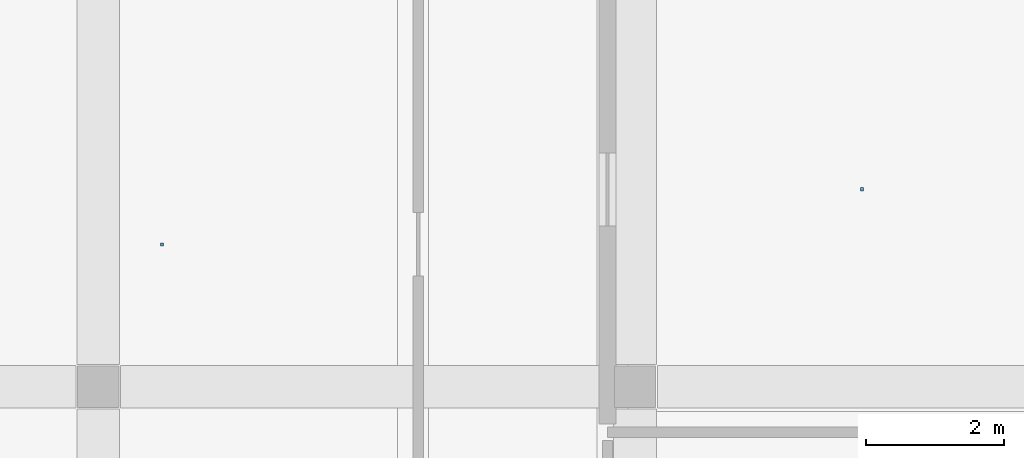
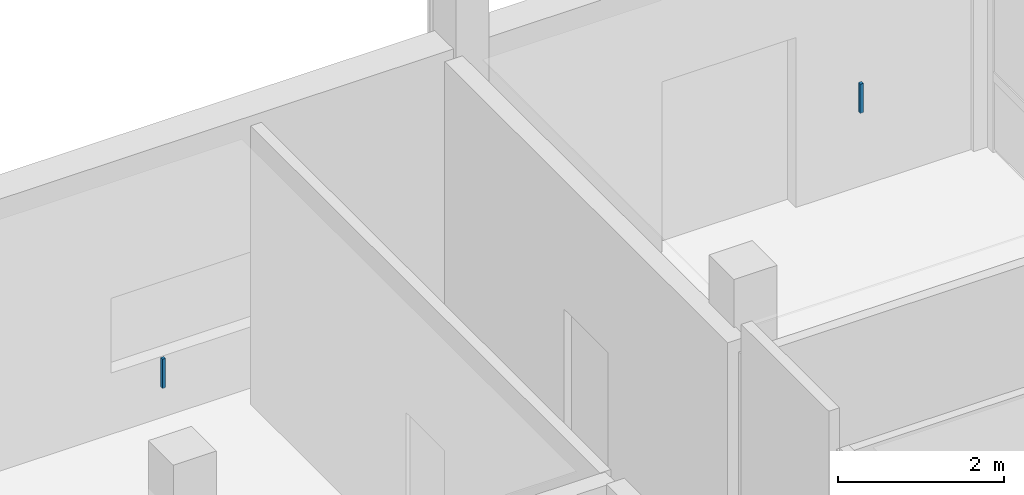
# One storey, part 70 of 88: 2 discrete accessories.
"""IFC4 building model written with IfcOpenShell, lengths in metres."""

from ifc_helpers import new_model, si_unit, derived_unit, direction, frame, origin, origin_2d, place, context, subcontext, project, spatial, rectangle, extrude, material, type_object, element, save


model = new_model("IFC4")

# Units and contexts
model_context = context("Model", 3, precision=1e-05, world=origin(), true_north=direction((0.0, 1.0)))
body_context = subcontext(model_context, "Body", "Model", "MODEL_VIEW")
ifc_project = project(units=[si_unit("LENGTHUNIT", "METRE"), si_unit("AREAUNIT", "SQUARE_METRE"), si_unit("VOLUMEUNIT", "CUBIC_METRE"), si_unit("PLANEANGLEUNIT", "RADIAN"), si_unit("MASSUNIT", "GRAM", prefix="KILO"), derived_unit("THERMALTRANSMITTANCEUNIT", [(si_unit("POWERUNIT", "WATT"), 1), (si_unit("LENGTHUNIT", "METRE"), -2), (si_unit("THERMODYNAMICTEMPERATUREUNIT", "KELVIN"), -1)])], contexts=[model_context])

# Site, building, storey
site_placement = place(None, origin())
site = spatial("IfcSite", under=ifc_project, at=site_placement, CompositionType="ELEMENT")
building_placement = place(site_placement, origin())
building = spatial("IfcBuilding", under=site, at=building_placement, Name="Braskholm Square Health Centre", CompositionType="ELEMENT")
storey_placement = place(building_placement, origin())
storey = spatial("IfcBuildingStorey", under=building, at=storey_placement, Name="L01", CompositionType="ELEMENT", Elevation=0.0)

# Discrete accessories
ifc_material = material(Name="Steel ASTM A500 Grade C", Category="steel")
discrete_accessory_type = type_object("IfcDiscreteAccessoryType", Name="CeilingSuspensionBracket", PredefinedType="BRACKET", material=ifc_material)
for number, where, z_axis, x_axis, name in (
    (1, (159.89697265625, 109.8701171875, 4.08203125), (0.0, 0.0, 1.0), (1.0, 0.0, 0.0), "Ceiling hanger bracket 0123"),
    (2, (149.72705078125, 109.070068359375, 4.08203125), (0.0, 0.0, 1.0), (1.0, 0.0, 0.0), "Ceiling hanger bracket 0130"),
):
    element("IfcDiscreteAccessory", number, at=place(storey_placement, frame(where, z_axis=z_axis, x_axis=x_axis)), inside=storey, type_object=discrete_accessory_type, Name=name, PredefinedType="BRACKET", context=body_context, shape_type="SweptSolid", body=[
        extrude(rectangle(XDim=0.044921875, YDim=0.044921875, at=origin_2d()), origin(), (0.0, 0.0, 1.0), 0.429931640625),
    ])

save(model, "model.ifc")
